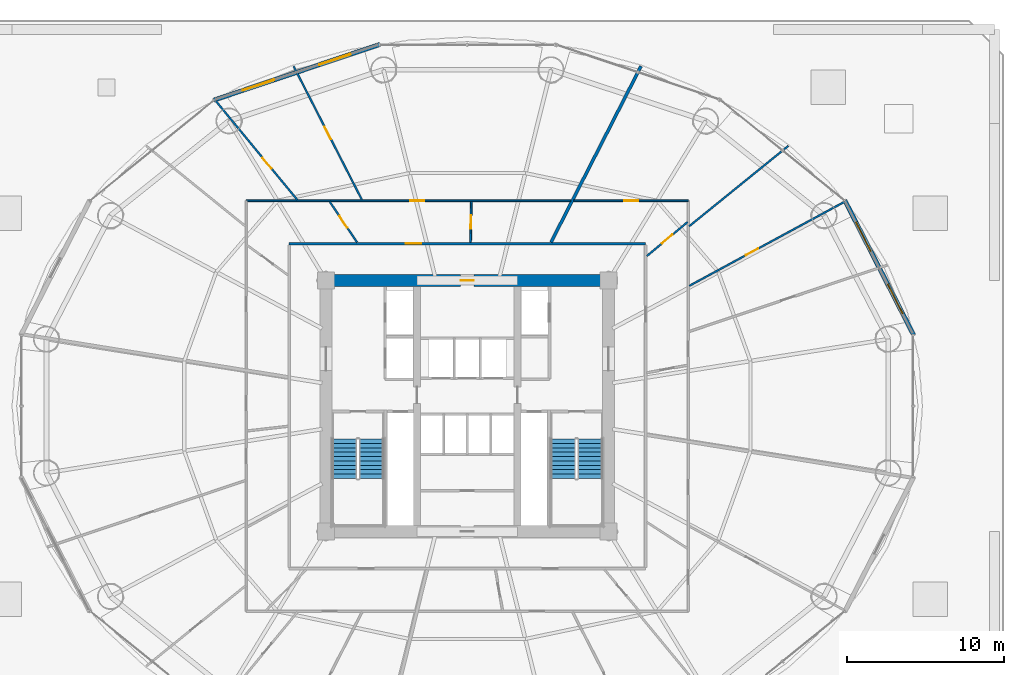
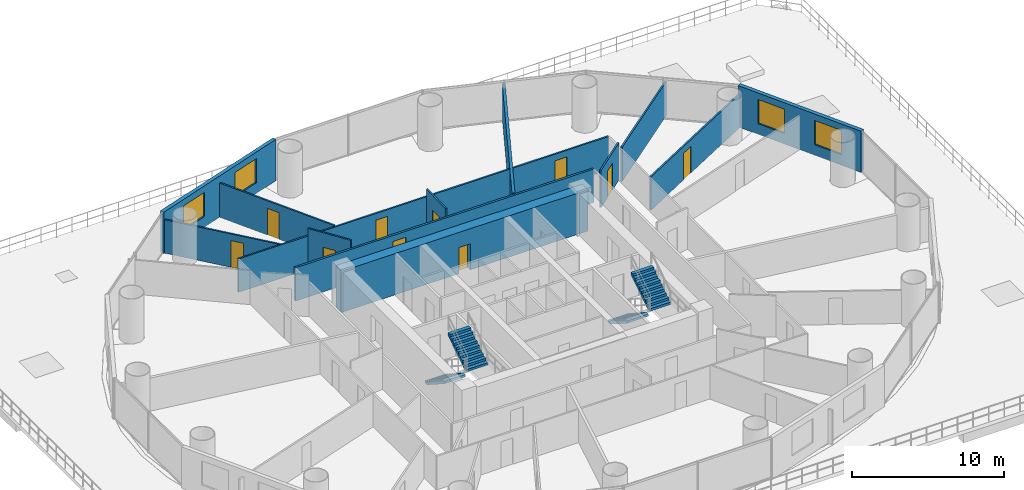
# One storey, part 33 of 37: 14 walls, 10 doors, 4 stair flights, 4 windows, 14 openings, 2 elements without a shape of their own.
"""IFC4 building model written with IfcOpenShell, lengths in metres."""

import ifcopenshell
import ifcopenshell.guid

model = None  # the IFC model being written
_history = None  # IfcOwnerHistory: only IFC2X3 demands one
_inside = {}  # id of a spatial element -> (the spatial element, [elements in it])
_under = {}  # id of a project, library or spatial element -> (it, [spatial elements below it])
_declared = {}  # id of a project -> (the project, [libraries it declares])
_typed = {}  # id of a type object -> (the type object, [elements of that type])
_made_of = {}  # id of a material, layer set ... -> (it, [elements and type objects made of it])


def new_model(schema):
    """Start an empty IFC model of exactly this schema.

    Asked for "IFC4X3", IfcOpenShell would pick the latest addendum, in which some entities
    have other attributes; the version numbers below select the first issue.
    IFC2X3 requires an IfcOwnerHistory on every rooted entity: one is made here for all.
    """
    global model, _history
    if schema == "IFC4X3":
        model = ifcopenshell.file(schema_version=(4, 3, 0, 0))
    else:
        model = ifcopenshell.file(schema=schema)
    _inside.clear()
    _under.clear()
    _declared.clear()
    _typed.clear()
    _made_of.clear()
    _history = None
    if model.schema == "IFC2X3":
        org = make("IfcOrganization", Name="unknown")
        user = make(
            "IfcPersonAndOrganization",
            ThePerson=make("IfcPerson", FamilyName="unknown"),
            TheOrganization=org,
        )
        app = make(
            "IfcApplication",
            ApplicationDeveloper=org,
            Version="unknown",
            ApplicationFullName="unknown",
            ApplicationIdentifier="unknown",
        )
        _history = make(
            "IfcOwnerHistory",
            OwningUser=user,
            OwningApplication=app,
            ChangeAction="ADDED",
            CreationDate=0,
        )
    return model


def make(cls, **values):
    """One entity of the class cls with the attributes given. An attribute that is None is left unset."""
    return model.create_entity(
        cls, **{name: value for name, value in values.items() if value is not None}
    )


def rooted(cls, **values):
    """An entity with a GlobalId (a new one), such as an element, a storey or a relation."""
    return make(cls, GlobalId=ifcopenshell.guid.new(), OwnerHistory=_history, **values)


def si_unit(unit_type, name, prefix=None):
    """IfcSIUnit, for example si_unit("LENGTHUNIT", "METRE", prefix="MILLI")."""
    return make("IfcSIUnit", UnitType=unit_type, Prefix=prefix, Name=name)


def assignment(units):
    """IfcUnitAssignment: the units of a project."""
    return None if units is None else make("IfcUnitAssignment", Units=units)


def point(xyz):
    """IfcCartesianPoint."""
    return None if xyz is None else make("IfcCartesianPoint", Coordinates=xyz)


def direction(xyz):
    """IfcDirection."""
    return None if xyz is None else make("IfcDirection", DirectionRatios=xyz)


def frame(location, z_axis=None, x_axis=None):
    """IfcAxis2Placement3D, a coordinate frame: its origin and axes. An axis left out is left unset."""
    return make(
        "IfcAxis2Placement3D",
        Location=point(location),
        Axis=direction(z_axis),
        RefDirection=direction(x_axis),
    )


def frame_2d(location, x_axis=None):
    """IfcAxis2Placement2D, a coordinate frame in the plane: its origin and x axis."""
    return make(
        "IfcAxis2Placement2D", Location=point(location), RefDirection=direction(x_axis)
    )


def origin():
    """The frame at (0, 0, 0) with its axes left unset."""
    return frame((0.0, 0.0, 0.0))


def place(relative_to, where):
    """IfcLocalPlacement: puts the frame where relative to a parent placement (None: the world)."""
    return make(
        "IfcLocalPlacement", PlacementRelTo=relative_to, RelativePlacement=where
    )


def context(
    kind, dimensions, precision=None, world=None, true_north=None, identifier=None
):
    """IfcGeometricRepresentationContext, for example the 3D "Model" context."""
    return make(
        "IfcGeometricRepresentationContext",
        ContextIdentifier=identifier,
        ContextType=kind,
        CoordinateSpaceDimension=dimensions,
        Precision=precision,
        WorldCoordinateSystem=world,
        TrueNorth=true_north,
    )


def subcontext(parent, identifier, kind, view, scale=None):
    """IfcGeometricRepresentationSubContext, for example "Body" below "Model"."""
    return make(
        "IfcGeometricRepresentationSubContext",
        ContextIdentifier=identifier,
        ContextType=kind,
        ParentContext=parent,
        TargetScale=scale,
        TargetView=view,
    )


def project(units=None, contexts=None):
    """IfcProject with its units and contexts."""
    return rooted(
        "IfcProject",
        Name="project",
        RepresentationContexts=contexts,
        UnitsInContext=assignment(units),
    )


def spatial(cls, under=None, at=None, **own):
    """A site, building, storey or space (cls), placed at a placement, below another one or the project."""
    s = rooted(cls, ObjectPlacement=at, **own)
    if under is not None:
        _under.setdefault(under.id(), (under, []))[1].append(s)
    return s


def polyline(points):
    """IfcPolyline through the points."""
    return make("IfcPolyline", Points=[point(p) for p in points])


def profile(cls, at=None, kind="AREA", **sizes):
    """A parametric profile (cls). Its sizes go by their IFC names, for example OverallWidth=200.0."""
    return make(cls, ProfileType=kind, Position=at, **sizes)


def rectangle(**sizes):
    """IfcRectangleProfileDef."""
    return profile("IfcRectangleProfileDef", **sizes)


def outline(outer, holes=None, kind="AREA"):
    """IfcArbitraryClosedProfileDef: a profile drawn as a closed curve; with holes, ...WithVoids."""
    if holes is None:
        return make("IfcArbitraryClosedProfileDef", ProfileType=kind, OuterCurve=outer)
    return make(
        "IfcArbitraryProfileDefWithVoids",
        ProfileType=kind,
        OuterCurve=outer,
        InnerCurves=holes,
    )


def extrude(swept, where, along, depth):
    """IfcExtrudedAreaSolid: the profile swept, set in the frame where, extruded along a direction by depth."""
    return make(
        "IfcExtrudedAreaSolid",
        SweptArea=swept,
        Position=where,
        ExtrudedDirection=direction(along),
        Depth=depth,
    )


def shape(context_of_items, identifier, shape_type, items):
    """IfcShapeRepresentation: the items that make up one representation, for example the "Body"."""
    return make(
        "IfcShapeRepresentation",
        ContextOfItems=context_of_items,
        RepresentationIdentifier=identifier,
        RepresentationType=shape_type,
        Items=items,
    )


def source(mapping_origin, context_of_items, identifier, shape_type, items):
    """IfcRepresentationMap: a shape defined once, which mapped items show again and again."""
    return make(
        "IfcRepresentationMap",
        MappingOrigin=mapping_origin,
        MappedRepresentation=shape(context_of_items, identifier, shape_type, items),
    )


def transform(
    local_origin,
    x_axis=None,
    y_axis=None,
    z_axis=None,
    scale=None,
    scale2=None,
    scale3=None,
    uniform=True,
):
    """IfcCartesianTransformationOperator3D, or its non-uniform kind. x_axis, y_axis, z_axis: its Axis1, 2, 3."""
    if uniform:
        return make(
            "IfcCartesianTransformationOperator3D",
            Axis1=direction(x_axis),
            Axis2=direction(y_axis),
            LocalOrigin=point(local_origin),
            Scale=scale,
            Axis3=direction(z_axis),
        )
    return make(
        "IfcCartesianTransformationOperator3DnonUniform",
        Axis1=direction(x_axis),
        Axis2=direction(y_axis),
        LocalOrigin=point(local_origin),
        Scale=scale,
        Axis3=direction(z_axis),
        Scale2=scale2,
        Scale3=scale3,
    )


def mapped(mapping_source, mapping_target):
    """IfcMappedItem: shows the shape of a source again, moved by a transform."""
    return make(
        "IfcMappedItem", MappingSource=mapping_source, MappingTarget=mapping_target
    )


def material(Name=None, Category=None):
    """IfcMaterial."""
    return make("IfcMaterial", Name=Name, Category=Category)


def layer(
    of_material, thickness, ventilated=None, Name=None, Category=None, Priority=None
):
    """IfcMaterialLayer: one layer of a wall or slab, of a material (None: an air gap)."""
    return make(
        "IfcMaterialLayer",
        Material=of_material,
        LayerThickness=thickness,
        IsVentilated=ventilated,
        Name=Name,
        Category=Category,
        Priority=Priority,
    )


def layer_set(layers, Name=None):
    """IfcMaterialLayerSet."""
    return make("IfcMaterialLayerSet", MaterialLayers=layers, LayerSetName=Name)


def made_of(thing, what):
    """Note that an element or type object is made of a material, layer set ...; save() writes the relation."""
    if what is not None:
        _made_of.setdefault(what.id(), (what, []))[1].append(thing)
    return thing


def type_object(cls, material=None, **own):
    """A type object (cls), such as IfcWallType, which elements share."""
    return made_of(rooted(cls, **own), material)


def element(
    cls,
    number,
    at=None,
    inside=None,
    cuts=None,
    type_object=None,
    material=None,
    context=None,
    identifier="Body",
    shape_type=None,
    held_by="IfcProductDefinitionShape",
    body=None,
    shapes=None,
    **own,
):
    """One element of the class cls, such as IfcWall. Its Tag is "e" and its number.

    at: its placement. inside: the storey or other place that contains it. cuts: it is an
    opening in that element (IfcRelVoidsElement). A single representation is given by context,
    identifier, shape_type and body (its items); several are given by shapes. held_by: the class
    of the entity that holds the representations. save() writes the other relations.
    """
    e = rooted(cls, Tag="e%d" % number, ObjectPlacement=at, **own)
    if body is not None:
        shapes = [shape(context, identifier, shape_type, body)]
    if shapes is not None:
        e.Representation = make(held_by, Representations=shapes)
    if inside is not None:
        _inside.setdefault(inside.id(), (inside, []))[1].append(e)
    if cuts is not None:
        rooted(
            "IfcRelVoidsElement", RelatingBuildingElement=cuts, RelatedOpeningElement=e
        )
    if type_object is not None:
        _typed.setdefault(type_object.id(), (type_object, []))[1].append(e)
    return made_of(e, material)


def fill(opening, filler):
    """IfcRelFillsElement: the door or window that sits in an opening."""
    return rooted(
        "IfcRelFillsElement",
        RelatingOpeningElement=opening,
        RelatedBuildingElement=filler,
    )


def aggregate(whole, parts):
    """IfcRelAggregates: a whole, such as a stair, and the parts it consists of."""
    return rooted("IfcRelAggregates", RelatingObject=whole, RelatedObjects=parts)


def save(model, path):
    """Write the relations noted so far, then the file.

    IfcRelAggregates (storeys below a building ...), IfcRelContainedInSpatialStructure (elements
    in a storey), IfcRelDefinesByType, IfcRelAssociatesMaterial and IfcRelDeclares: one each for
    every whole, place, type object, material and project.
    """
    for whole, parts in _under.values():
        aggregate(whole, parts)
    for where, things in _inside.values():
        rooted(
            "IfcRelContainedInSpatialStructure",
            RelatedElements=things,
            RelatingStructure=where,
        )
    for kind, things in _typed.values():
        rooted("IfcRelDefinesByType", RelatedObjects=things, RelatingType=kind)
    for what, things in _made_of.values():
        rooted("IfcRelAssociatesMaterial", RelatedObjects=things, RelatingMaterial=what)
    for by, libraries in _declared.values():
        rooted("IfcRelDeclares", RelatingContext=by, RelatedDefinitions=libraries)
    model.write(path)


model = new_model("IFC4")

# Units and contexts
model_context = context("Model", 3, precision=1e-05, world=origin(), true_north=direction((-0.2419218956, 0.970295726276)))
body_context = subcontext(model_context, "Body", "Model", "MODEL_VIEW")
ifc_project = project(units=[si_unit("LENGTHUNIT", "METRE"), si_unit("AREAUNIT", "SQUARE_METRE"), si_unit("VOLUMEUNIT", "CUBIC_METRE"), si_unit("PLANEANGLEUNIT", "RADIAN"), si_unit("MASSUNIT", "GRAM", prefix="KILO")], contexts=[model_context])

# Site, building, storey
site_placement = place(None, origin())
site = spatial("IfcSite", under=ifc_project, at=site_placement, CompositionType="ELEMENT")
building_placement = place(site_placement, origin())
building = spatial("IfcBuilding", under=site, at=building_placement, Name="Cobrevalo Terracotta Tower", CompositionType="ELEMENT")
storey_placement = place(building_placement, frame((0.0, 0.0, 24.0)))
storey = spatial("IfcBuildingStorey", under=building, at=storey_placement, Name="L05", CompositionType="ELEMENT", Elevation=24.0)

# Wall, opening, door
ifc_material_1 = material(Name="Concrete C60", Category="concrete")
ifc_layer_1 = layer(ifc_material_1, 0.75)
ifc_layer_set_1 = layer_set([ifc_layer_1], Name="Concrete C60")
wall_type_1 = type_object("IfcWallType", Name="Core shear wall 750 mm Concrete C60", PredefinedType="SHEAR", material=ifc_layer_set_1)
wall_1_placement = place(storey_placement, frame((28.625, 34.800048828125, 0.0), z_axis=(0.0, 0.0, 1.0), x_axis=(1.0, 0.0, 0.0)))
wall_1 = element("IfcWall", 1, at=wall_1_placement, inside=storey, type_object=wall_type_1, Name="L05 north core shear wall", PredefinedType="SHEAR", context=body_context, shape_type="SweptSolid", body=[
    extrude(rectangle(XDim=18.75, YDim=0.75, at=frame_2d((9.375, 0.0))), origin(), (0.0, 0.0, 1.0), 3.320068359375),
])
opening_1_placement = place(wall_1_placement, frame((8.949951171875, 0.0, 0.0)))
opening_1 = element("IfcOpeningElement", 2, at=opening_1_placement, cuts=wall_1, Name="Opening ID-22", PredefinedType="OPENING", context=body_context, shape_type="SweptSolid", body=[
    extrude(rectangle(XDim=0.85009765625, YDim=2.10009765625, at=frame_2d((0.425048828125, 1.050048828125))), frame((0.0, 0.385009765625, 0.0), z_axis=(0.0, -1.0, 0.0), x_axis=(1.0, 0.0, 0.0)), (0.0, 0.0, 1.0), 0.77001953125),
])
ifc_material_2 = material(Name="Powder-coated steel", Category="steel")
door_type_1 = type_object("IfcDoorType", Name="Riser shaft & meter closet fire access door 850x2100 EI 60", OperationType="NOTDEFINED", PredefinedType="DOOR", material=ifc_material_2)
shared_shape_1 = source(origin(), body_context, "Body", "SweptSolid", [
    extrude(rectangle(XDim=0.85009765625, YDim=2.10009765625, at=frame_2d((0.425048828125, 1.050048828125))), frame((0.0, 0.02490234375, 0.0), z_axis=(0.0, -1.0, 0.0), x_axis=(1.0, 0.0, 0.0)), (0.0, 0.0, 1.0), 0.050048828125),
])
door_1_placement = place(opening_1_placement, frame((0.85009765625, 0.0, 0.0), z_axis=(0.0, 0.0, 1.0), x_axis=(-1.0, 0.0, 0.0)))
door_1 = element("IfcDoor", 3, at=door_1_placement, inside=storey, type_object=door_type_1, Name="L05 core north service door Floor Electrical Switchroom", OperationType="SINGLE_SWING_LEFT", OverallHeight=2.10009765625, OverallWidth=0.85009765625, PredefinedType="DOOR", context=body_context, shape_type="MappedRepresentation", body=[
    mapped(shared_shape_1, transform((0.0, 0.0, 0.0), scale=1.0)),
])
fill(opening_1, door_1)

ifc_material_3 = material(Name="Gypsum board on steel stud", Category="steel")
ifc_layer_2 = layer(ifc_material_3, 0.159912109375)
ifc_layer_set_2 = layer_set([ifc_layer_2], Name="Gypsum board on steel stud")
wall_type_2 = type_object("IfcWallType", Name="Fire-rated corridor acoustic partition wall 160 mm", PredefinedType="PARTITIONING", material=ifc_layer_set_2)
wall_2_placement = place(storey_placement, frame((26.64501953125, 37.155029296875, 0.0), z_axis=(0.0, 0.0, 1.0), x_axis=(1.0, 0.0, 0.0)))
wall_2 = element("IfcWall", 4, at=wall_2_placement, inside=storey, type_object=wall_type_2, Name="L05 interior partition IW-L05-COR-N", PredefinedType="PARTITIONING", context=body_context, shape_type="SweptSolid", body=[
    extrude(rectangle(XDim=22.7099609375, YDim=0.159912109375, at=frame_2d((11.35498046875, 0.0))), origin(), (0.0, 0.0, 1.0), 2.68798828125),
])
opening_2_placement = place(wall_2_placement, frame((7.44580078125, 0.0, 0.0)))
opening_2 = element("IfcOpeningElement", 5, at=opening_2_placement, cuts=wall_2, Name="Opening ID-05", PredefinedType="OPENING", context=body_context, shape_type="SweptSolid", body=[
    extrude(rectangle(XDim=0.97998046875, YDim=2.199951171875, at=frame_2d((0.489990234375, 1.10009765625))), frame((0.0, 0.08984375, 0.0), z_axis=(0.0, -1.0, 0.0), x_axis=(1.0, 0.0, 0.0)), (0.0, 0.0, 1.0), 0.179931640625),
])
ifc_material_4 = material(Name="Solid hardwood timber", Category="wood")
door_type_2 = type_object("IfcDoorType", Name="Residence entrance fire-rated acoustic timber door 980x2200 EI 60", OperationType="NOTDEFINED", PredefinedType="DOOR", material=ifc_material_4)
shared_shape_2 = source(origin(), body_context, "Body", "SweptSolid", [
    extrude(rectangle(XDim=0.97998046875, YDim=2.199951171875, at=frame_2d((0.489990234375, 1.10009765625))), frame((0.0, 0.02490234375, 0.0), z_axis=(0.0, -1.0, 0.0), x_axis=(1.0, 0.0, 0.0)), (0.0, 0.0, 1.0), 0.050048828125),
])
door_2_placement = place(opening_2_placement, origin())
door_2 = element("IfcDoor", 6, at=door_2_placement, inside=storey, type_object=door_type_2, Name="Flat L05B fire-rated apartment entrance door", OperationType="SINGLE_SWING_RIGHT", OverallHeight=2.199951171875, OverallWidth=0.97998046875, PredefinedType="DOOR", context=body_context, shape_type="MappedRepresentation", body=[
    mapped(shared_shape_2, transform((0.0, 0.0, 0.0), scale=1.0)),
])
fill(opening_2, door_2)

# Wall
ifc_material_5 = material(Name="Autoclaved aerated concrete block", Category="concrete")
ifc_layer_3 = layer(ifc_material_5, 0.199951171875)
ifc_layer_set_3 = layer_set([ifc_layer_3], Name="Autoclaved aerated concrete block")
wall_type_3 = type_object("IfcWallType", Name="Fire-rated stair, shaft & demising masonry wall 200 mm", PredefinedType="PARTITIONING", material=ifc_layer_set_3)
wall_3_placement = place(storey_placement, frame((43.334716796875, 37.23681640625, 0.0), z_axis=(0.0, 0.0, 1.0), x_axis=(0.455148959499, 0.890415310216, 0.0)))
element("IfcWall", 7, at=wall_3_placement, inside=storey, type_object=wall_type_3, Name="L05 interior partition IW-L05-DEM-2", PredefinedType="PARTITIONING", context=body_context, shape_type="SweptSolid", body=[
    extrude(rectangle(XDim=12.598388671875, YDim=0.199951171875, at=frame_2d((6.29931640625, 0.0))), origin(), (0.0, 0.0, 1.0), 2.761962890625),
])

# Wall, openings, windows
ifc_layer_4 = layer(ifc_material_5, 0.280029296875)
ifc_layer_set_4 = layer_set([ifc_layer_4], Name="Autoclaved aerated concrete block")
wall_type_4 = type_object("IfcWallType", Name="Insulated tower spandrel & pier wall 280 mm with terracotta rainscreen", PredefinedType="SOLIDWALL", material=ifc_layer_set_4)
wall_4_placement = place(storey_placement, frame((66.44970703125, 31.3076171875, 0.0), z_axis=(0.0, 0.0, 1.0), x_axis=(-0.45523081716, 0.890373462715, 0.0)))
wall_4 = element("IfcWall", 8, at=wall_4_placement, inside=storey, type_object=wall_type_4, Name="L05 terracotta rainscreen pier wall S01", PredefinedType="SOLIDWALL", context=body_context, shape_type="SweptSolid", body=[
    extrude(rectangle(XDim=9.662109375, YDim=0.280029296875, at=frame_2d((4.8310546875, 0.0))), origin(), (0.0, 0.0, 1.0), 3.320068359375),
])
opening_3_placement = place(wall_4_placement, frame((1.558837890625, 0.0, 0.85009765625)))
opening_3 = element("IfcOpeningElement", 9, at=opening_3_placement, cuts=wall_4, Name="Opening WN-10", PredefinedType="OPENING", context=body_context, shape_type="SweptSolid", body=[
    extrude(rectangle(XDim=2.10009765625, YDim=1.949951171875, at=frame_2d((1.050048828125, 0.97509765625))), frame((0.0, 0.14990234375, 0.0), z_axis=(0.0, -1.0, 0.0), x_axis=(1.0, 0.0, 0.0)), (0.0, 0.0, 1.0), 0.300048828125),
])
opening_4_placement = place(wall_4_placement, frame((6.00341796875, 0.0, 0.85009765625)))
opening_4 = element("IfcOpeningElement", 10, at=opening_4_placement, cuts=wall_4, Name="Opening WN-10", PredefinedType="OPENING", context=body_context, shape_type="SweptSolid", body=[
    extrude(rectangle(XDim=2.10009765625, YDim=1.949951171875, at=frame_2d((1.050048828125, 0.97509765625))), frame((0.0, 0.14990234375, 0.0), z_axis=(0.0, -1.0, 0.0), x_axis=(1.0, 0.0, 0.0)), (0.0, 0.0, 1.0), 0.300048828125),
])
ifc_material_6 = material(Name="Solar-control low-E double glazing", Category="glass")
window_type = type_object("IfcWindowType", Name="Wide panoramic low-E aluminium window 2100x1950", PartitioningType="SINGLE_PANEL", PredefinedType="WINDOW", material=ifc_material_6)
shared_shape_3 = source(origin(), body_context, "Body", "SweptSolid", [
    extrude(rectangle(XDim=2.10009765625, YDim=1.949951171875, at=frame_2d((1.050048828125, 0.97509765625))), frame((0.0, 0.030029296875, 0.0), z_axis=(0.0, -1.0, 0.0), x_axis=(1.0, 0.0, 0.0)), (0.0, 0.0, 1.0), 0.06005859375),
])
window_1_placement = place(opening_3_placement, origin())
window_1 = element("IfcWindow", 11, at=window_1_placement, inside=storey, type_object=window_type, Name="L05 suite window S01A", OverallHeight=1.949951171875, OverallWidth=2.10009765625, PartitioningType="SINGLE_PANEL", PredefinedType="WINDOW", context=body_context, shape_type="MappedRepresentation", body=[
    mapped(shared_shape_3, transform((0.0, 0.0, 0.0), scale=1.0)),
])
fill(opening_3, window_1)
window_2_placement = place(opening_4_placement, origin())
window_2 = element("IfcWindow", 12, at=window_2_placement, inside=storey, type_object=window_type, Name="L05 suite window S01B", OverallHeight=1.949951171875, OverallWidth=2.10009765625, PartitioningType="SINGLE_PANEL", PredefinedType="WINDOW", context=body_context, shape_type="MappedRepresentation", body=[
    mapped(shared_shape_3, transform((0.0, 0.0, 0.0), scale=1.0)),
])
fill(opening_4, window_2)

wall_5_placement = place(storey_placement, frame((32.424072265625, 49.844482421875, 0.0), z_axis=(0.0, 0.0, 1.0), x_axis=(-0.948041258496, -0.318147406385, 0.0)))
wall_5 = element("IfcWall", 13, at=wall_5_placement, inside=storey, type_object=wall_type_4, Name="L05 terracotta rainscreen pier wall S05", PredefinedType="SOLIDWALL", context=body_context, shape_type="SweptSolid", body=[
    extrude(rectangle(XDim=11.17529296875, YDim=0.280029296875, at=frame_2d((5.587646484375, 0.0))), origin(), (0.0, 0.0, 1.0), 3.320068359375),
])
opening_5_placement = place(wall_5_placement, frame((1.96728515625, 0.0, 0.85009765625)))
opening_5 = element("IfcOpeningElement", 14, at=opening_5_placement, cuts=wall_5, Name="Opening WN-10", PredefinedType="OPENING", context=body_context, shape_type="SweptSolid", body=[
    extrude(rectangle(XDim=2.10009765625, YDim=1.949951171875, at=frame_2d((1.050048828125, 0.97509765625))), frame((0.0, 0.14990234375, 0.0), z_axis=(0.0, -1.0, 0.0), x_axis=(1.0, 0.0, 0.0)), (0.0, 0.0, 1.0), 0.300048828125),
])
opening_6_placement = place(wall_5_placement, frame((7.108154296875, 0.0, 0.85009765625)))
opening_6 = element("IfcOpeningElement", 15, at=opening_6_placement, cuts=wall_5, Name="Opening WN-10", PredefinedType="OPENING", context=body_context, shape_type="SweptSolid", body=[
    extrude(rectangle(XDim=2.10009765625, YDim=1.949951171875, at=frame_2d((1.050048828125, 0.97509765625))), frame((0.0, 0.14990234375, 0.0), z_axis=(0.0, -1.0, 0.0), x_axis=(1.0, 0.0, 0.0)), (0.0, 0.0, 1.0), 0.300048828125),
])
window_3_placement = place(opening_5_placement, origin())
window_3 = element("IfcWindow", 16, at=window_3_placement, inside=storey, type_object=window_type, Name="L05 suite window S05A", OverallHeight=1.949951171875, OverallWidth=2.10009765625, PartitioningType="SINGLE_PANEL", PredefinedType="WINDOW", context=body_context, shape_type="MappedRepresentation", body=[
    mapped(shared_shape_3, transform((0.0, 0.0, 0.0), scale=1.0)),
])
fill(opening_5, window_3)
window_4_placement = place(opening_6_placement, origin())
window_4 = element("IfcWindow", 17, at=window_4_placement, inside=storey, type_object=window_type, Name="L05 suite window S05B", OverallHeight=1.949951171875, OverallWidth=2.10009765625, PartitioningType="SINGLE_PANEL", PredefinedType="WINDOW", context=body_context, shape_type="MappedRepresentation", body=[
    mapped(shared_shape_3, transform((0.0, 0.0, 0.0), scale=1.0)),
])
fill(opening_6, window_4)

# Wall, opening, door
ifc_layer_5 = layer(ifc_material_3, 0.1201171875)
ifc_layer_set_5 = layer_set([ifc_layer_5], Name="Gypsum board on steel stud")
wall_type_5 = type_object("IfcWallType", Name="Residential internal acoustic stud partition 120 mm", PredefinedType="PARTITIONING", material=ifc_layer_set_5)
wall_6_placement = place(storey_placement, frame((44.79052734375, 39.885009765625, 0.0), z_axis=(0.0, 0.0, 1.0), x_axis=(1.0, 0.0, 0.0)))
wall_6 = element("IfcWall", 18, at=wall_6_placement, inside=storey, type_object=wall_type_5, Name="L05 interior partition IW-L05-U1-RING0_0", PredefinedType="PARTITIONING", context=body_context, shape_type="SweptSolid", body=[
    extrude(rectangle(XDim=7.29443359375, YDim=0.1201171875, at=frame_2d((3.647216796875, 0.0))), origin(), (0.0, 0.0, 1.0), 2.68798828125),
])
opening_7_placement = place(wall_6_placement, frame((3.197265625, 0.0, 0.0)))
opening_7 = element("IfcOpeningElement", 19, at=opening_7_placement, cuts=wall_6, Name="Opening ID-12", PredefinedType="OPENING", context=body_context, shape_type="SweptSolid", body=[
    extrude(rectangle(XDim=0.89990234375, YDim=2.14990234375, at=frame_2d((0.449951171875, 1.074951171875))), frame((0.0, 0.070068359375, 0.0), z_axis=(0.0, -1.0, 0.0), x_axis=(1.0, 0.0, 0.0)), (0.0, 0.0, 1.0), 0.14013671875),
])
ifc_material_7 = material(Name="Engineered timber", Category="wood")
door_type_3 = type_object("IfcDoorType", Name="Internal residence & suite timber door 900x2150", OperationType="NOTDEFINED", PredefinedType="DOOR", material=ifc_material_7)
shared_shape_4 = source(origin(), body_context, "Body", "SweptSolid", [
    extrude(rectangle(XDim=0.89990234375, YDim=2.14990234375, at=frame_2d((0.449951171875, 1.074951171875))), frame((0.0, 0.02490234375, 0.0), z_axis=(0.0, -1.0, 0.0), x_axis=(1.0, 0.0, 0.0)), (0.0, 0.0, 1.0), 0.050048828125),
])
door_3_placement = place(opening_7_placement, origin())
door_3 = element("IfcDoor", 20, at=door_3_placement, inside=storey, type_object=door_type_3, Name="Flat L05A Penthouse Family Lounge internal door", OperationType="SINGLE_SWING_LEFT", OverallHeight=2.14990234375, OverallWidth=0.89990234375, PredefinedType="DOOR", context=body_context, shape_type="MappedRepresentation", body=[
    mapped(shared_shape_4, transform((0.0, 0.0, 0.0), scale=1.0)),
])
fill(opening_7, door_3)

wall_7_placement = place(storey_placement, frame((52.139404296875, 34.455810546875, 0.0), z_axis=(0.0, 0.0, 1.0), x_axis=(0.879372452045, 0.476134529922, 0.0)))
wall_7 = element("IfcWall", 21, at=wall_7_placement, inside=storey, type_object=wall_type_5, Name="L05 interior partition IW-L05-U1-ORAD2M1", PredefinedType="PARTITIONING", context=body_context, shape_type="SweptSolid", body=[
    extrude(rectangle(XDim=11.219482421875, YDim=0.1201171875, at=frame_2d((5.60986328125, 0.0))), origin(), (0.0, 0.0, 1.0), 2.68798828125),
])
opening_8_placement = place(wall_7_placement, frame((4.101806640625, 0.0, 0.0)))
opening_8 = element("IfcOpeningElement", 22, at=opening_8_placement, cuts=wall_7, Name="Opening ID-12", PredefinedType="OPENING", context=body_context, shape_type="SweptSolid", body=[
    extrude(rectangle(XDim=0.89990234375, YDim=2.14990234375, at=frame_2d((0.449951171875, 1.074951171875))), frame((0.0, 0.070068359375, 0.0), z_axis=(0.0, -1.0, 0.0), x_axis=(1.0, 0.0, 0.0)), (0.0, 0.0, 1.0), 0.14013671875),
])
door_4_placement = place(opening_8_placement, origin())
door_4 = element("IfcDoor", 23, at=door_4_placement, inside=storey, type_object=door_type_3, Name="Flat L05A Principal Guest Bedroom internal door", OperationType="SINGLE_SWING_LEFT", OverallHeight=2.14990234375, OverallWidth=0.89990234375, PredefinedType="DOOR", context=body_context, shape_type="MappedRepresentation", body=[
    mapped(shared_shape_4, transform((0.0, 0.0, 0.0), scale=1.0)),
])
fill(opening_8, door_4)

# Wall
wall_8_placement = place(storey_placement, frame((52.133056640625, 38.252685546875, 0.0), z_axis=(0.0, 0.0, 1.0), x_axis=(0.776936623447, 0.629578814087, 0.0)))
element("IfcWall", 24, at=wall_8_placement, inside=storey, type_object=wall_type_5, Name="L05 interior partition IW-L05-U1-ORAD2", PredefinedType="PARTITIONING", context=body_context, shape_type="SweptSolid", body=[
    extrude(rectangle(XDim=8.136474609375, YDim=0.1201171875, at=frame_2d((4.068359375, 0.0))), origin(), (0.0, 0.0, 1.0), 2.761962890625),
])

# Wall, opening, door
wall_9_placement = place(storey_placement, frame((49.43505859375, 36.3525390625, 0.0), z_axis=(0.0, 0.0, 1.0), x_axis=(0.76742398833, 0.641139939589, 0.0)))
wall_9 = element("IfcWall", 25, at=wall_9_placement, inside=storey, type_object=wall_type_5, Name="L05 interior partition IW-L05-U1-IRAD2", PredefinedType="PARTITIONING", context=body_context, shape_type="SweptSolid", body=[
    extrude(rectangle(XDim=3.390869140625, YDim=0.1201171875, at=frame_2d((1.6953125, 0.0))), origin(), (0.0, 0.0, 1.0), 2.9990234375),
])
opening_9_placement = place(wall_9_placement, frame((1.24560546875, 0.0, 0.0)))
opening_9 = element("IfcOpeningElement", 26, at=opening_9_placement, cuts=wall_9, Name="Opening ID-12", PredefinedType="OPENING", context=body_context, shape_type="SweptSolid", body=[
    extrude(rectangle(XDim=0.89990234375, YDim=2.14990234375, at=frame_2d((0.449951171875, 1.074951171875))), frame((0.0, 0.070068359375, 0.0), z_axis=(0.0, -1.0, 0.0), x_axis=(1.0, 0.0, 0.0)), (0.0, 0.0, 1.0), 0.14013671875),
])
door_5_placement = place(opening_9_placement, origin())
door_5 = element("IfcDoor", 27, at=door_5_placement, inside=storey, type_object=door_type_3, Name="Flat L05A Kitchen internal door", OperationType="SINGLE_SWING_RIGHT", OverallHeight=2.14990234375, OverallWidth=0.89990234375, PredefinedType="DOOR", context=body_context, shape_type="MappedRepresentation", body=[
    mapped(shared_shape_4, transform((0.0, 0.0, 0.0), scale=1.0)),
])
fill(opening_9, door_5)

wall_10_placement = place(storey_placement, frame((23.9150390625, 39.885009765625, 0.0), z_axis=(0.0, 0.0, 1.0), x_axis=(1.0, 0.0, 0.0)))
wall_10 = element("IfcWall", 28, at=wall_10_placement, inside=storey, type_object=wall_type_5, Name="L05 interior partition IW-L05-U2-RING1_0", PredefinedType="PARTITIONING", context=body_context, shape_type="SweptSolid", body=[
    extrude(rectangle(XDim=20.67138671875, YDim=0.1201171875, at=frame_2d((10.335693359375, 0.0))), origin(), (0.0, 0.0, 1.0), 2.68798828125),
])
opening_10_placement = place(wall_10_placement, frame((10.444091796875, 0.0, 0.0)))
opening_10 = element("IfcOpeningElement", 29, at=opening_10_placement, cuts=wall_10, Name="Opening ID-12", PredefinedType="OPENING", context=body_context, shape_type="SweptSolid", body=[
    extrude(rectangle(XDim=0.89990234375, YDim=2.14990234375, at=frame_2d((0.449951171875, 1.074951171875))), frame((0.0, 0.070068359375, 0.0), z_axis=(0.0, -1.0, 0.0), x_axis=(1.0, 0.0, 0.0)), (0.0, 0.0, 1.0), 0.14013671875),
])
door_6_placement = place(opening_10_placement, origin())
door_6 = element("IfcDoor", 30, at=door_6_placement, inside=storey, type_object=door_type_3, Name="Flat L05B Penthouse Living and Dining Room internal door", OperationType="SINGLE_SWING_RIGHT", OverallHeight=2.14990234375, OverallWidth=0.89990234375, PredefinedType="DOOR", context=body_context, shape_type="MappedRepresentation", body=[
    mapped(shared_shape_4, transform((0.0, 0.0, 0.0), scale=1.0)),
])
fill(opening_10, door_6)

wall_11_placement = place(storey_placement, frame((31.283203125, 39.940185546875, 0.0), z_axis=(0.0, 0.0, 1.0), x_axis=(-0.455131303234, 0.890424335256, 0.0)))
wall_11 = element("IfcWall", 31, at=wall_11_placement, inside=storey, type_object=wall_type_5, Name="L05 interior partition IW-L05-U2-ORAD1", PredefinedType="PARTITIONING", context=body_context, shape_type="SweptSolid", body=[
    extrude(rectangle(XDim=9.562255859375, YDim=0.1201171875, at=frame_2d((4.78125, 0.0))), origin(), (0.0, 0.0, 1.0), 2.761962890625),
])
opening_11_placement = place(wall_11_placement, frame((4.3310546875, 0.0, 0.0)))
opening_11 = element("IfcOpeningElement", 32, at=opening_11_placement, cuts=wall_11, Name="Opening ID-12", PredefinedType="OPENING", context=body_context, shape_type="SweptSolid", body=[
    extrude(rectangle(XDim=0.89990234375, YDim=2.14990234375, at=frame_2d((0.449951171875, 1.074951171875))), frame((0.0, 0.070068359375, 0.0), z_axis=(0.0, -1.0, 0.0), x_axis=(1.0, 0.0, 0.0)), (0.0, 0.0, 1.0), 0.14013671875),
])
door_7_placement = place(opening_11_placement, origin())
door_7 = element("IfcDoor", 33, at=door_7_placement, inside=storey, type_object=door_type_3, Name="Flat L05B Master Bedroom internal door", OperationType="SINGLE_SWING_LEFT", OverallHeight=2.14990234375, OverallWidth=0.89990234375, PredefinedType="DOOR", context=body_context, shape_type="MappedRepresentation", body=[
    mapped(shared_shape_4, transform((0.0, 0.0, 0.0), scale=1.0)),
])
fill(opening_11, door_7)

wall_12_placement = place(storey_placement, frame((27.171142578125, 39.932861328125, 0.0), z_axis=(0.0, 0.0, 1.0), x_axis=(-0.636192172227, 0.771530634516, 0.0)))
wall_12 = element("IfcWall", 34, at=wall_12_placement, inside=storey, type_object=wall_type_5, Name="L05 interior partition IW-L05-U2-ORAD2M1", PredefinedType="PARTITIONING", context=body_context, shape_type="SweptSolid", body=[
    extrude(rectangle(XDim=8.186279296875, YDim=0.1201171875, at=frame_2d((4.09326171875, 0.0))), origin(), (0.0, 0.0, 1.0), 2.68798828125),
])
opening_12_placement = place(wall_12_placement, frame((2.579345703125, 0.0, 0.0)))
opening_12 = element("IfcOpeningElement", 35, at=opening_12_placement, cuts=wall_12, Name="Opening ID-12", PredefinedType="OPENING", context=body_context, shape_type="SweptSolid", body=[
    extrude(rectangle(XDim=0.89990234375, YDim=2.14990234375, at=frame_2d((0.449951171875, 1.074951171875))), frame((0.0, 0.070068359375, 0.0), z_axis=(0.0, -1.0, 0.0), x_axis=(1.0, 0.0, 0.0)), (0.0, 0.0, 1.0), 0.14013671875),
])
door_8_placement = place(opening_12_placement, origin())
door_8 = element("IfcDoor", 36, at=door_8_placement, inside=storey, type_object=door_type_3, Name="Flat L05B Principal Guest Bedroom internal door", OperationType="SINGLE_SWING_RIGHT", OverallHeight=2.14990234375, OverallWidth=0.89990234375, PredefinedType="DOOR", context=body_context, shape_type="MappedRepresentation", body=[
    mapped(shared_shape_4, transform((0.0, 0.0, 0.0), scale=1.0)),
])
fill(opening_12, door_8)

wall_13_placement = place(storey_placement, frame((38.20458984375, 37.237060546875, 0.0), z_axis=(0.0, 0.0, 1.0), x_axis=(0.019633676934, 0.999807240787, 0.0)))
wall_13 = element("IfcWall", 37, at=wall_13_placement, inside=storey, type_object=wall_type_5, Name="L05 interior partition IW-L05-U2-IRAD1", PredefinedType="PARTITIONING", context=body_context, shape_type="SweptSolid", body=[
    extrude(rectangle(XDim=2.58642578125, YDim=0.1201171875, at=frame_2d((1.293212890625, 0.0))), origin(), (0.0, 0.0, 1.0), 3.320068359375),
])
opening_13_placement = place(wall_13_placement, frame((0.86328125, 0.0, 0.0)))
opening_13 = element("IfcOpeningElement", 38, at=opening_13_placement, cuts=wall_13, Name="Opening ID-19", PredefinedType="OPENING", context=body_context, shape_type="SweptSolid", body=[
    extrude(rectangle(XDim=0.860107421875, YDim=2.14990234375, at=frame_2d((0.43017578125, 1.074951171875))), frame((0.0, 0.070068359375, 0.0), z_axis=(0.0, -1.0, 0.0), x_axis=(1.0, 0.0, 0.0)), (0.0, 0.0, 1.0), 0.14013671875),
])
ifc_material_8 = material(Name="Moisture-sealed timber", Category="wood")
door_type_4 = type_object("IfcDoorType", Name="Suite bathroom internal timber door 860x2150", OperationType="NOTDEFINED", PredefinedType="DOOR", material=ifc_material_8)
shared_shape_5 = source(origin(), body_context, "Body", "SweptSolid", [
    extrude(rectangle(XDim=0.860107421875, YDim=2.14990234375, at=frame_2d((0.43017578125, 1.074951171875))), frame((0.0, 0.02490234375, 0.0), z_axis=(0.0, -1.0, 0.0), x_axis=(1.0, 0.0, 0.0)), (0.0, 0.0, 1.0), 0.050048828125),
])
door_9_placement = place(opening_13_placement, frame((0.860107421875, 0.0, 0.0), z_axis=(0.0, 0.0, 1.0), x_axis=(-1.0, 0.0, 0.0)))
door_9 = element("IfcDoor", 39, at=door_9_placement, inside=storey, type_object=door_type_4, Name="Flat L05B Primary Bathroom internal door", OperationType="SINGLE_SWING_LEFT", OverallHeight=2.14990234375, OverallWidth=0.860107421875, PredefinedType="DOOR", context=body_context, shape_type="MappedRepresentation", body=[
    mapped(shared_shape_5, transform((0.0, 0.0, 0.0), scale=1.0)),
])
fill(opening_13, door_9)

wall_14_placement = place(storey_placement, frame((30.9716796875, 37.236572265625, 0.0), z_axis=(0.0, 0.0, 1.0), x_axis=(-0.558563154585, 0.829461995717, 0.0)))
wall_14 = element("IfcWall", 40, at=wall_14_placement, inside=storey, type_object=wall_type_5, Name="L05 interior partition IW-L05-U2-IRAD2", PredefinedType="PARTITIONING", context=body_context, shape_type="SweptSolid", body=[
    extrude(rectangle(XDim=3.130859375, YDim=0.1201171875, at=frame_2d((1.5654296875, 0.0))), origin(), (0.0, 0.0, 1.0), 3.320068359375),
])
opening_14_placement = place(wall_14_placement, frame((1.115478515625, 0.0, 0.0)))
opening_14 = element("IfcOpeningElement", 41, at=opening_14_placement, cuts=wall_14, Name="Opening ID-12", PredefinedType="OPENING", context=body_context, shape_type="SweptSolid", body=[
    extrude(rectangle(XDim=0.89990234375, YDim=2.14990234375, at=frame_2d((0.449951171875, 1.074951171875))), frame((0.0, 0.070068359375, 0.0), z_axis=(0.0, -1.0, 0.0), x_axis=(1.0, 0.0, 0.0)), (0.0, 0.0, 1.0), 0.14013671875),
])
door_10_placement = place(opening_14_placement, origin())
door_10 = element("IfcDoor", 42, at=door_10_placement, inside=storey, type_object=door_type_3, Name="Flat L05B Kitchen internal door", OperationType="SINGLE_SWING_LEFT", OverallHeight=2.14990234375, OverallWidth=0.89990234375, PredefinedType="DOOR", context=body_context, shape_type="MappedRepresentation", body=[
    mapped(shared_shape_4, transform((0.0, 0.0, 0.0), scale=1.0)),
])
fill(opening_14, door_10)

# Stair, stair flights
ifc_material_9 = material(Name="Concrete C50", Category="concrete")
stair_type = type_object("IfcStairType", Name="Core protected escape dogleg stair 1600", PredefinedType="HALF_TURN_STAIR", material=ifc_material_9)
stair_1_placement = place(storey_placement, origin())
stair_1 = element("IfcStair", 43, at=stair_1_placement, inside=storey, type_object=stair_type, Name="L05 Protected exit stair ST-1", PredefinedType="HALF_TURN_STAIR")
stair_flight_type = type_object("IfcStairFlightType", Name="Core protected escape dogleg stair 1600 flight", PredefinedType="STRAIGHT", material=ifc_material_9)
stair_flight_1_placement = place(storey_placement, frame((30.175048828125, 24.699951171875, 0.0), z_axis=(0.0, 0.0, 1.0), x_axis=(0.0, -1.0, 0.0)))
stair_flight_1 = element("IfcStairFlight", 44, at=stair_flight_1_placement, type_object=stair_flight_type, Name="ST-1 flight 1", NumberOfRisers=10, NumberOfTreads=9, PredefinedType="STRAIGHT", RiserHeight=0.18, TreadLength=0.28, context=body_context, shape_type="SweptSolid", body=[
    extrude(outline(polyline([(0.0, 0.0), (0.0, 0.179931640625), (0.280029296875, 0.179931640625), (0.280029296875, 0.360107421875), (0.56005859375, 0.360107421875), (0.56005859375, 0.5400390625), (0.840087890625, 0.5400390625), (0.840087890625, 0.719970703125), (1.1201171875, 0.719970703125), (1.1201171875, 0.89990234375), (1.39990234375, 0.89990234375), (1.39990234375, 1.080078125), (1.679931640625, 1.080078125), (1.679931640625, 1.260009765625), (1.9599609375, 1.260009765625), (1.9599609375, 1.43994140625), (2.239990234375, 1.43994140625), (2.239990234375, 1.6201171875), (2.52001953125, 1.6201171875), (2.52001953125, 1.800048828125), (2.52001953125, 1.429931640625), (0.295654296875, 0.0), (0.0, 0.0)])), frame((0.0, 0.800048828125, 0.0), z_axis=(0.0, -1.0, 0.0), x_axis=(1.0, 0.0, 0.0)), (0.0, 0.0, 1.0), 1.60009765625),
])
stair_flight_2_placement = place(storey_placement, frame((31.89501953125, 22.179931640625, 1.800048828125), z_axis=(0.0, 0.0, 1.0), x_axis=(0.0, 1.0, 0.0)))
stair_flight_2 = element("IfcStairFlight", 45, at=stair_flight_2_placement, type_object=stair_flight_type, Name="ST-1 flight 2", NumberOfRisers=10, NumberOfTreads=9, PredefinedType="STRAIGHT", RiserHeight=0.18, TreadLength=0.28, context=body_context, shape_type="SweptSolid", body=[
    extrude(outline(polyline([(0.0, 0.0), (0.0, 0.179931640625), (0.280029296875, 0.179931640625), (0.280029296875, 0.360107421875), (0.56005859375, 0.360107421875), (0.56005859375, 0.5400390625), (0.840087890625, 0.5400390625), (0.840087890625, 0.719970703125), (1.1201171875, 0.719970703125), (1.1201171875, 0.89990234375), (1.39990234375, 0.89990234375), (1.39990234375, 1.080078125), (1.679931640625, 1.080078125), (1.679931640625, 1.260009765625), (1.9599609375, 1.260009765625), (1.9599609375, 1.43994140625), (2.239990234375, 1.43994140625), (2.239990234375, 1.6201171875), (2.52001953125, 1.6201171875), (2.52001953125, 1.800048828125), (2.52001953125, 1.429931640625), (0.295654296875, 0.0), (0.0, 0.0)])), frame((0.0, 0.800048828125, 0.0), z_axis=(0.0, -1.0, 0.0), x_axis=(1.0, 0.0, 0.0)), (0.0, 0.0, 1.0), 1.60009765625),
])
aggregate(stair_1, [stair_flight_1, stair_flight_2])

stair_2_placement = place(storey_placement, origin())
stair_2 = element("IfcStair", 46, at=stair_2_placement, inside=storey, type_object=stair_type, Name="L05 Protected exit stair ST-2", PredefinedType="HALF_TURN_STAIR")
stair_flight_3_placement = place(storey_placement, frame((44.10498046875, 24.699951171875, 0.0), z_axis=(0.0, 0.0, 1.0), x_axis=(0.0, -1.0, 0.0)))
stair_flight_3 = element("IfcStairFlight", 47, at=stair_flight_3_placement, type_object=stair_flight_type, Name="ST-2 flight 1", NumberOfRisers=10, NumberOfTreads=9, PredefinedType="STRAIGHT", RiserHeight=0.18, TreadLength=0.28, context=body_context, shape_type="SweptSolid", body=[
    extrude(outline(polyline([(0.0, 0.0), (0.0, 0.179931640625), (0.280029296875, 0.179931640625), (0.280029296875, 0.360107421875), (0.56005859375, 0.360107421875), (0.56005859375, 0.5400390625), (0.840087890625, 0.5400390625), (0.840087890625, 0.719970703125), (1.1201171875, 0.719970703125), (1.1201171875, 0.89990234375), (1.39990234375, 0.89990234375), (1.39990234375, 1.080078125), (1.679931640625, 1.080078125), (1.679931640625, 1.260009765625), (1.9599609375, 1.260009765625), (1.9599609375, 1.43994140625), (2.239990234375, 1.43994140625), (2.239990234375, 1.6201171875), (2.52001953125, 1.6201171875), (2.52001953125, 1.800048828125), (2.52001953125, 1.429931640625), (0.295654296875, 0.0), (0.0, 0.0)])), frame((0.0, 0.800048828125, 0.0), z_axis=(0.0, -1.0, 0.0), x_axis=(1.0, 0.0, 0.0)), (0.0, 0.0, 1.0), 1.60009765625),
])
stair_flight_4_placement = place(storey_placement, frame((45.824951171875, 22.179931640625, 1.800048828125), z_axis=(0.0, 0.0, 1.0), x_axis=(0.0, 1.0, 0.0)))
stair_flight_4 = element("IfcStairFlight", 48, at=stair_flight_4_placement, type_object=stair_flight_type, Name="ST-2 flight 2", NumberOfRisers=10, NumberOfTreads=9, PredefinedType="STRAIGHT", RiserHeight=0.18, TreadLength=0.28, context=body_context, shape_type="SweptSolid", body=[
    extrude(outline(polyline([(0.0, 0.0), (0.0, 0.179931640625), (0.280029296875, 0.179931640625), (0.280029296875, 0.360107421875), (0.56005859375, 0.360107421875), (0.56005859375, 0.5400390625), (0.840087890625, 0.5400390625), (0.840087890625, 0.719970703125), (1.1201171875, 0.719970703125), (1.1201171875, 0.89990234375), (1.39990234375, 0.89990234375), (1.39990234375, 1.080078125), (1.679931640625, 1.080078125), (1.679931640625, 1.260009765625), (1.9599609375, 1.260009765625), (1.9599609375, 1.43994140625), (2.239990234375, 1.43994140625), (2.239990234375, 1.6201171875), (2.52001953125, 1.6201171875), (2.52001953125, 1.800048828125), (2.52001953125, 1.429931640625), (0.295654296875, 0.0), (0.0, 0.0)])), frame((0.0, 0.800048828125, 0.0), z_axis=(0.0, -1.0, 0.0), x_axis=(1.0, 0.0, 0.0)), (0.0, 0.0, 1.0), 1.60009765625),
])
aggregate(stair_2, [stair_flight_3, stair_flight_4])

save(model, "model.ifc")
